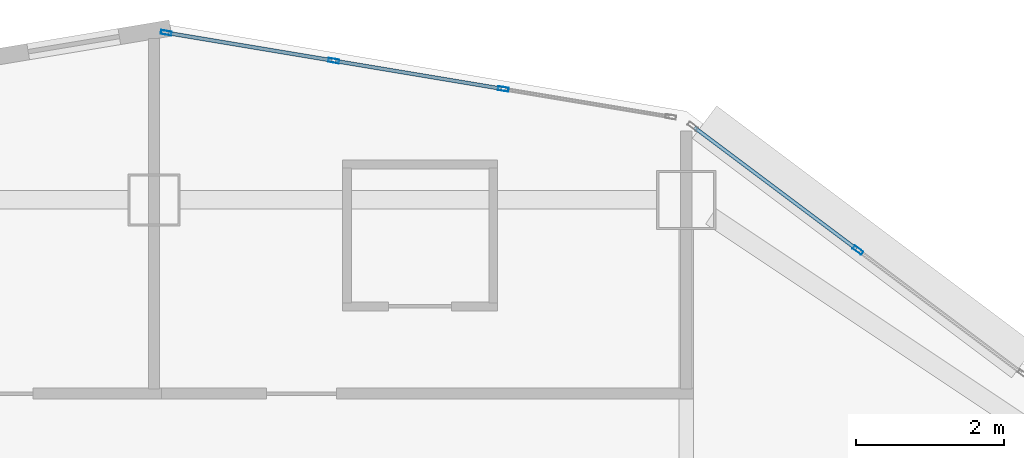
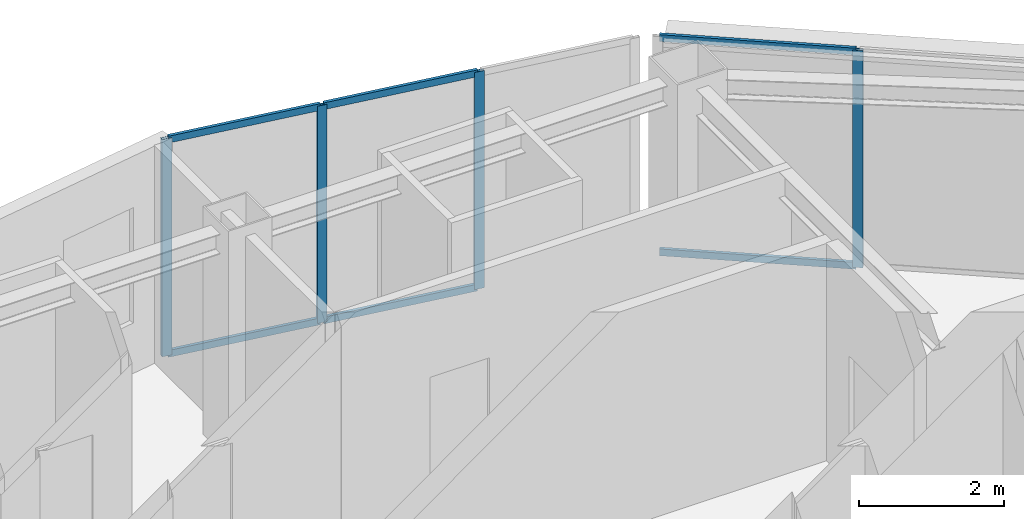
# One storey, part 2 of 11: 10 members, 2 elements without a shape of their own.
"""IFC4 building model written with IfcOpenShell, lengths in metres."""

from ifc_helpers import new_model, si_unit, direction, frame, origin, origin_2d, place, context, subcontext, project, spatial, hollow_rectangle, extrude, material, layer, layer_set, material_profile, profile_set, type_object, element, aggregate, save


model = new_model("IFC4")

# Units and contexts
model_context = context("Model", 3, precision=1e-05, world=origin(), true_north=direction((0.0, 1.0)))
body_context = subcontext(model_context, "Body", "Model", "MODEL_VIEW")
ifc_project = project(units=[si_unit("LENGTHUNIT", "METRE"), si_unit("AREAUNIT", "SQUARE_METRE"), si_unit("VOLUMEUNIT", "CUBIC_METRE"), si_unit("PLANEANGLEUNIT", "RADIAN"), si_unit("MASSUNIT", "GRAM", prefix="KILO")], contexts=[model_context])

# Site, building, storey
site_placement = place(None, origin())
site = spatial("IfcSite", under=ifc_project, at=site_placement, CompositionType="ELEMENT")
building_placement = place(site_placement, origin())
building = spatial("IfcBuilding", under=site, at=building_placement, Name="Haolan Belvedere Tower", CompositionType="ELEMENT")
storey_placement = place(building_placement, frame((0.0, 0.0, 254.449951171875)))
storey = spatial("IfcBuildingStorey", under=building, at=storey_placement, Name="L64", CompositionType="ELEMENT", Elevation=254.449951171875)

# Curtain wall, member
ifc_material_1 = material(Name="Anodised champagne-silver aluminium 6063-T6 and Low-E glass", Category="aluminium")
ifc_layer = layer(ifc_material_1, 0.14501953125, Name="Anodised champagne-silver aluminium 6063-T6 and Low-E glass")
ifc_layer_set = layer_set([ifc_layer], Name="Anodised champagne-silver aluminium 6063-T6 and Low-E glass")
curtain_wall_type = type_object("IfcCurtainWallType", Name="CW-SYS-05", PredefinedType="NOTDEFINED", material=ifc_layer_set)
curtain_wall_1_placement = place(storey_placement, origin())
curtain_wall_1 = element("IfcCurtainWall", 1, at=curtain_wall_1_placement, inside=storey, type_object=curtain_wall_type, Name="L64 CW-SYS-05 ribbon curtain wall 8.1", PredefinedType="NOTDEFINED")
ifc_material_2 = material(Name="Anodised aluminium 6063-T6", Category="aluminium")
ifc_material_profile_1 = material_profile(ifc_material_2, hollow_rectangle(XDim=0.053955078125, YDim=0.14501953125, WallThickness=0.00390625, at=origin_2d()), Name="Anodised aluminium 6063-T6")
ifc_profile_set_1 = profile_set([ifc_material_profile_1], Name="Anodised aluminium 6063-T6")
member_type_1 = type_object("IfcMemberType", Name="CW-SYS-05-MUL", PredefinedType="MULLION", material=ifc_profile_set_1)
member_1_placement = place(storey_placement, frame((47.9228515625, 49.720458984375, 0.0), z_axis=(0.0, 0.0, 1.0), x_axis=(-0.600002837806, -0.799997871638, 0.0)))
member_1 = element("IfcMember", 2, at=member_1_placement, type_object=member_type_1, Name="CW-05 mullion 2", PredefinedType="MULLION", context=body_context, shape_type="SweptSolid", body=[
    extrude(hollow_rectangle(XDim=0.053955078125, YDim=0.14501953125, WallThickness=0.00390625, at=origin_2d()), origin(), (0.0, 0.0, 1.0), 3.670166015625),
])

# Curtain wall, members
curtain_wall_2_placement = place(storey_placement, origin())
curtain_wall_2 = element("IfcCurtainWall", 3, at=curtain_wall_2_placement, inside=storey, type_object=curtain_wall_type, Name="L64 CW-SYS-05 ribbon curtain wall 9.1", PredefinedType="NOTDEFINED")
member_2_placement = place(storey_placement, frame((43.124267578125, 51.901123046875, 0.0), z_axis=(0.0, 0.0, 1.0), x_axis=(-0.164405962825, -0.98639276122, 0.0)))
member_2 = element("IfcMember", 4, at=member_2_placement, type_object=member_type_1, Name="CW-05 mullion 2", PredefinedType="MULLION", context=body_context, shape_type="SweptSolid", body=[
    extrude(hollow_rectangle(XDim=0.053955078125, YDim=0.14501953125, WallThickness=0.00390625, at=origin_2d()), origin(), (0.0, 0.0, 1.0), 3.670166015625),
])
member_3_placement = place(storey_placement, frame((40.831298828125, 52.283203125, 0.0), z_axis=(0.0, 0.0, 1.0), x_axis=(-0.164405962825, -0.98639276122, 0.0)))
member_3 = element("IfcMember", 5, at=member_3_placement, type_object=member_type_1, Name="CW-05 mullion 3", PredefinedType="MULLION", context=body_context, shape_type="SweptSolid", body=[
    extrude(hollow_rectangle(XDim=0.053955078125, YDim=0.14501953125, WallThickness=0.00390625, at=origin_2d()), origin(), (0.0, 0.0, 1.0), 3.670166015625),
])
member_4_placement = place(storey_placement, frame((38.564697265625, 52.6611328125, 0.0), z_axis=(0.0, 0.0, 1.0), x_axis=(-0.164405962825, -0.98639276122, 0.0)))
member_4 = element("IfcMember", 6, at=member_4_placement, type_object=member_type_1, Name="CW-05 mullion 4", PredefinedType="MULLION", context=body_context, shape_type="SweptSolid", body=[
    extrude(hollow_rectangle(XDim=0.053955078125, YDim=0.14501953125, WallThickness=0.00390625, at=origin_2d()), origin(), (0.0, 0.0, 1.0), 3.670166015625),
])

# Member
ifc_material_profile_2 = material_profile(ifc_material_2, hollow_rectangle(XDim=0.050048828125, YDim=0.114990234375, WallThickness=0.00390625, at=origin_2d()), Name="Anodised aluminium 6063-T6")
ifc_profile_set_2 = profile_set([ifc_material_profile_2], Name="Anodised aluminium 6063-T6")
member_type_2 = type_object("IfcMemberType", Name="CW-SYS-05-TRN", PredefinedType="USERDEFINED", material=ifc_profile_set_2)
member_5_placement = place(storey_placement, frame((47.901123046875, 49.736572265625, 0.025146484375), z_axis=(-0.8, 0.6, 0.0), x_axis=(-0.6, -0.8, 0.0)))
member_5 = element("IfcMember", 7, at=member_5_placement, type_object=member_type_2, Name="CW-05 transom 2.1", ObjectType="TRANSOM", PredefinedType="USERDEFINED", context=body_context, shape_type="SweptSolid", body=[
    extrude(hollow_rectangle(XDim=0.050048828125, YDim=0.114990234375, WallThickness=0.00390625, at=origin_2d()), origin(), (0.0, 0.0, 1.0), 2.738037109375),
])

member_6_placement = place(storey_placement, frame((47.901123046875, 49.736572265625, 3.64501953125), z_axis=(-0.8, 0.6, 0.0), x_axis=(-0.6, -0.8, 0.0)))
member_6 = element("IfcMember", 8, at=member_6_placement, type_object=member_type_2, Name="CW-05 transom 2.2", ObjectType="TRANSOM", PredefinedType="USERDEFINED", context=body_context, shape_type="SweptSolid", body=[
    extrude(hollow_rectangle(XDim=0.050048828125, YDim=0.114990234375, WallThickness=0.00390625, at=origin_2d()), origin(), (0.0, 0.0, 1.0), 2.738037109375),
])

aggregate(curtain_wall_1, [member_1, member_5, member_6])

member_7_placement = place(storey_placement, frame((43.09765625, 51.905517578125, 0.025146484375), z_axis=(-0.986393923832, 0.164398987305, 0.0), x_axis=(-0.164398987305, -0.986393923832, 0.0)))
member_7 = element("IfcMember", 9, at=member_7_placement, type_object=member_type_2, Name="CW-05 transom 2.1", ObjectType="TRANSOM", PredefinedType="USERDEFINED", context=body_context, shape_type="SweptSolid", body=[
    extrude(hollow_rectangle(XDim=0.050048828125, YDim=0.114990234375, WallThickness=0.00390625, at=origin_2d()), origin(), (0.0, 0.0, 1.0), 2.270751953125),
])

member_8_placement = place(storey_placement, frame((43.09765625, 51.905517578125, 3.64501953125), z_axis=(-0.986393923832, 0.164398987305, 0.0), x_axis=(-0.164398987305, -0.986393923832, 0.0)))
member_8 = element("IfcMember", 10, at=member_8_placement, type_object=member_type_2, Name="CW-05 transom 2.2", ObjectType="TRANSOM", PredefinedType="USERDEFINED", context=body_context, shape_type="SweptSolid", body=[
    extrude(hollow_rectangle(XDim=0.050048828125, YDim=0.114990234375, WallThickness=0.00390625, at=origin_2d()), origin(), (0.0, 0.0, 1.0), 2.270751953125),
])

member_9_placement = place(storey_placement, frame((40.8046875, 52.287841796875, 0.025146484375), z_axis=(-0.986393923832, 0.164398987305, 0.0), x_axis=(-0.164398987305, -0.986393923832, 0.0)))
member_9 = element("IfcMember", 11, at=member_9_placement, type_object=member_type_2, Name="CW-05 transom 3.1", ObjectType="TRANSOM", PredefinedType="USERDEFINED", context=body_context, shape_type="SweptSolid", body=[
    extrude(hollow_rectangle(XDim=0.050048828125, YDim=0.114990234375, WallThickness=0.00390625, at=origin_2d()), origin(), (0.0, 0.0, 1.0), 2.243896484375),
])

member_10_placement = place(storey_placement, frame((40.8046875, 52.287841796875, 3.64501953125), z_axis=(-0.986393923832, 0.164398987305, 0.0), x_axis=(-0.164398987305, -0.986393923832, 0.0)))
member_10 = element("IfcMember", 12, at=member_10_placement, type_object=member_type_2, Name="CW-05 transom 3.2", ObjectType="TRANSOM", PredefinedType="USERDEFINED", context=body_context, shape_type="SweptSolid", body=[
    extrude(hollow_rectangle(XDim=0.050048828125, YDim=0.114990234375, WallThickness=0.00390625, at=origin_2d()), origin(), (0.0, 0.0, 1.0), 2.243896484375),
])

aggregate(curtain_wall_2, [member_2, member_3, member_4, member_7, member_8, member_9, member_10])

save(model, "model.ifc")
